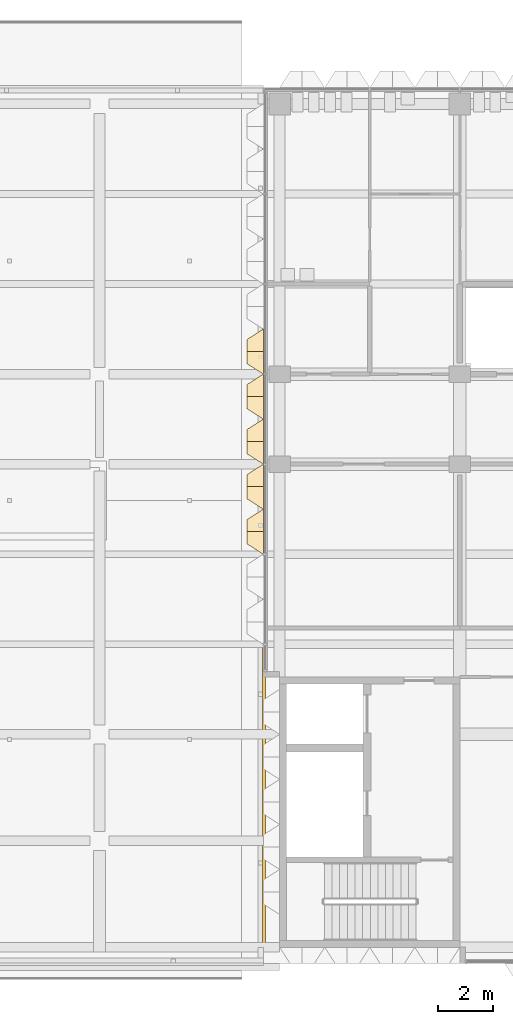
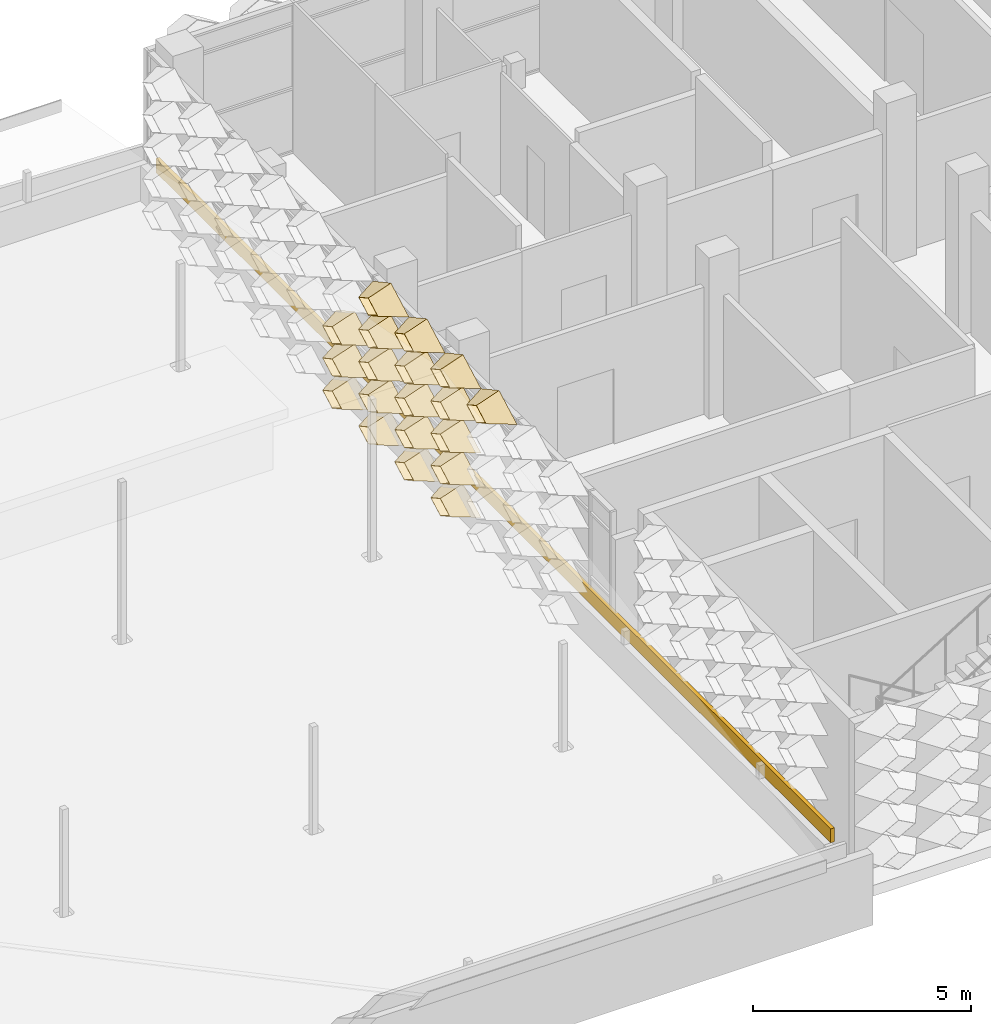
# One storey, part 25 of 39: 20 coverings.
"""IFC4 building model written with IfcOpenShell, lengths in metres."""

from ifc_helpers import new_model, entity, si_unit, direction, frame, origin, place, context, subcontext, project, spatial, polyline, outline, extrude, material, layer, layer_set, type_object, element, save


model = new_model("IFC4")

# Units and contexts
model_context = context("Model", 3, precision=1e-05, world=origin(), true_north=direction((0.0, 1.0)))
body_context = subcontext(model_context, "Body", "Model", "MODEL_VIEW")
ifc_project = project(units=[si_unit("LENGTHUNIT", "METRE"), si_unit("AREAUNIT", "SQUARE_METRE"), si_unit("VOLUMEUNIT", "CUBIC_METRE"), si_unit("PLANEANGLEUNIT", "RADIAN"), si_unit("MASSUNIT", "GRAM", prefix="KILO")], contexts=[model_context])

# Site, building, storey
site_placement = place(None, origin())
site = spatial("IfcSite", under=ifc_project, at=site_placement, CompositionType="ELEMENT")
building_placement = place(site_placement, origin())
building = spatial("IfcBuilding", under=site, at=building_placement, Name="Lantern Court Research Institute", CompositionType="ELEMENT")
storey_placement = place(building_placement, frame((0.0, 0.0, 27.89990234375)))
storey = spatial("IfcBuildingStorey", under=building, at=storey_placement, Name="L06", CompositionType="ELEMENT", Elevation=27.89990234375)

# Coverings
ifc_material_1 = material(Name="Anodised aluminium", Category="aluminium")
ifc_layer_1 = layer(ifc_material_1, 0.01611328125)
ifc_layer_set_1 = layer_set([ifc_layer_1], Name="Anodised aluminium")
covering_type_1 = type_object("IfcCoveringType", Name="Fin cassette 1650 x 900 x 600 aluminium", PredefinedType="CLADDING", material=ifc_layer_set_1)
covering_1_placement = place(storey_placement, frame((52.199951171875, 9.074951171875, 0.4501953125), z_axis=(-1.0, 0.0, 0.0), x_axis=(0.0, -1.0, 0.0)))
cartesian_point_1 = entity("IfcCartesianPoint", [0.824951171875, 0.0])
cartesian_point_2 = entity("IfcCartesianPoint", [0.79150390625, 0.0])
cartesian_point_3 = entity("IfcCartesianPoint", [0.44189453125, 0.0])
cartesian_point_4 = entity("IfcCartesianPoint", [0.43359375, 0.0])
element("IfcCovering", 1, at=covering_1_placement, inside=storey, type_object=covering_type_1, Name="Fin cassette V5W-L06 1.6", PredefinedType="CLADDING", context=body_context, shape_type="SweptSolid", body=[
    entity("IfcExtrudedAreaSolidTapered", entity("IfcArbitraryProfileDefWithVoids", "AREA", None, entity("IfcPolyline", [cartesian_point_1, entity("IfcCartesianPoint", [0.0, 0.449951171875]), entity("IfcCartesianPoint", [-0.824951171875, 0.0]), entity("IfcCartesianPoint", [0.0, -0.449951171875]), cartesian_point_1]), [entity("IfcPolyline", [cartesian_point_2, entity("IfcCartesianPoint", [0.0, 0.431884765625]), entity("IfcCartesianPoint", [-0.79150390625, 0.0]), entity("IfcCartesianPoint", [0.0, -0.431884765625]), cartesian_point_2])]), entity("IfcAxis2Placement3D", entity("IfcCartesianPoint", [0.0, 0.0, 0.0])), entity("IfcDirection", [0.0, 0.0, 1.0]), 0.60009765625, entity("IfcArbitraryProfileDefWithVoids", "AREA", None, entity("IfcPolyline", [cartesian_point_3, entity("IfcCartesianPoint", [0.0, 0.240966796875]), entity("IfcCartesianPoint", [-0.44189453125, 0.0]), entity("IfcCartesianPoint", [0.0, -0.240966796875]), cartesian_point_3]), [entity("IfcPolyline", [cartesian_point_4, entity("IfcCartesianPoint", [0.0, 0.236572265625]), entity("IfcCartesianPoint", [-0.43359375, 0.0]), entity("IfcCartesianPoint", [0.0, -0.236572265625]), cartesian_point_4])])),
])
covering_2_placement = place(storey_placement, frame((52.199951171875, 10.72509765625, 0.4501953125), z_axis=(-1.0, 0.0, 0.0), x_axis=(0.0, -1.0, 0.0)))
cartesian_point_5 = entity("IfcCartesianPoint", [0.824951171875, 0.0])
cartesian_point_6 = entity("IfcCartesianPoint", [0.79150390625, 0.0])
cartesian_point_7 = entity("IfcCartesianPoint", [0.44189453125, 0.0])
cartesian_point_8 = entity("IfcCartesianPoint", [0.43359375, 0.0])
element("IfcCovering", 2, at=covering_2_placement, inside=storey, type_object=covering_type_1, Name="Fin cassette V5W-L06 1.7", PredefinedType="CLADDING", context=body_context, shape_type="SweptSolid", body=[
    entity("IfcExtrudedAreaSolidTapered", entity("IfcArbitraryProfileDefWithVoids", "AREA", None, entity("IfcPolyline", [cartesian_point_5, entity("IfcCartesianPoint", [0.0, 0.449951171875]), entity("IfcCartesianPoint", [-0.824951171875, 0.0]), entity("IfcCartesianPoint", [0.0, -0.449951171875]), cartesian_point_5]), [entity("IfcPolyline", [cartesian_point_6, entity("IfcCartesianPoint", [0.0, 0.431884765625]), entity("IfcCartesianPoint", [-0.79150390625, 0.0]), entity("IfcCartesianPoint", [0.0, -0.431884765625]), cartesian_point_6])]), entity("IfcAxis2Placement3D", entity("IfcCartesianPoint", [0.0, 0.0, 0.0])), entity("IfcDirection", [0.0, 0.0, 1.0]), 0.60009765625, entity("IfcArbitraryProfileDefWithVoids", "AREA", None, entity("IfcPolyline", [cartesian_point_7, entity("IfcCartesianPoint", [0.0, 0.240966796875]), entity("IfcCartesianPoint", [-0.44189453125, 0.0]), entity("IfcCartesianPoint", [0.0, -0.240966796875]), cartesian_point_7]), [entity("IfcPolyline", [cartesian_point_8, entity("IfcCartesianPoint", [0.0, 0.236572265625]), entity("IfcCartesianPoint", [-0.43359375, 0.0]), entity("IfcCartesianPoint", [0.0, -0.236572265625]), cartesian_point_8])])),
])
covering_3_placement = place(storey_placement, frame((52.199951171875, 12.375, 0.4501953125), z_axis=(-1.0, 0.0, 0.0), x_axis=(0.0, -1.0, 0.0)))
cartesian_point_9 = entity("IfcCartesianPoint", [0.824951171875, 0.0])
cartesian_point_10 = entity("IfcCartesianPoint", [0.79150390625, 0.0])
cartesian_point_11 = entity("IfcCartesianPoint", [0.44189453125, 0.0])
cartesian_point_12 = entity("IfcCartesianPoint", [0.43359375, 0.0])
element("IfcCovering", 3, at=covering_3_placement, inside=storey, type_object=covering_type_1, Name="Fin cassette V5W-L06 1.8", PredefinedType="CLADDING", context=body_context, shape_type="SweptSolid", body=[
    entity("IfcExtrudedAreaSolidTapered", entity("IfcArbitraryProfileDefWithVoids", "AREA", None, entity("IfcPolyline", [cartesian_point_9, entity("IfcCartesianPoint", [0.0, 0.449951171875]), entity("IfcCartesianPoint", [-0.824951171875, 0.0]), entity("IfcCartesianPoint", [0.0, -0.449951171875]), cartesian_point_9]), [entity("IfcPolyline", [cartesian_point_10, entity("IfcCartesianPoint", [0.0, 0.431884765625]), entity("IfcCartesianPoint", [-0.79150390625, 0.0]), entity("IfcCartesianPoint", [0.0, -0.431884765625]), cartesian_point_10])]), entity("IfcAxis2Placement3D", entity("IfcCartesianPoint", [0.0, 0.0, 0.0])), entity("IfcDirection", [0.0, 0.0, 1.0]), 0.60009765625, entity("IfcArbitraryProfileDefWithVoids", "AREA", None, entity("IfcPolyline", [cartesian_point_11, entity("IfcCartesianPoint", [0.0, 0.240966796875]), entity("IfcCartesianPoint", [-0.44189453125, 0.0]), entity("IfcCartesianPoint", [0.0, -0.240966796875]), cartesian_point_11]), [entity("IfcPolyline", [cartesian_point_12, entity("IfcCartesianPoint", [0.0, 0.236572265625]), entity("IfcCartesianPoint", [-0.43359375, 0.0]), entity("IfcCartesianPoint", [0.0, -0.236572265625]), cartesian_point_12])])),
])
covering_4_placement = place(storey_placement, frame((52.199951171875, 14.02490234375, 0.4501953125), z_axis=(-1.0, 0.0, 0.0), x_axis=(0.0, -1.0, 0.0)))
cartesian_point_13 = entity("IfcCartesianPoint", [0.824951171875, 0.0])
cartesian_point_14 = entity("IfcCartesianPoint", [0.79150390625, 0.0])
cartesian_point_15 = entity("IfcCartesianPoint", [0.44189453125, 0.0])
cartesian_point_16 = entity("IfcCartesianPoint", [0.43359375, 0.0])
element("IfcCovering", 4, at=covering_4_placement, inside=storey, type_object=covering_type_1, Name="Fin cassette V5W-L06 1.9", PredefinedType="CLADDING", context=body_context, shape_type="SweptSolid", body=[
    entity("IfcExtrudedAreaSolidTapered", entity("IfcArbitraryProfileDefWithVoids", "AREA", None, entity("IfcPolyline", [cartesian_point_13, entity("IfcCartesianPoint", [0.0, 0.449951171875]), entity("IfcCartesianPoint", [-0.824951171875, 0.0]), entity("IfcCartesianPoint", [0.0, -0.449951171875]), cartesian_point_13]), [entity("IfcPolyline", [cartesian_point_14, entity("IfcCartesianPoint", [0.0, 0.431884765625]), entity("IfcCartesianPoint", [-0.79150390625, 0.0]), entity("IfcCartesianPoint", [0.0, -0.431884765625]), cartesian_point_14])]), entity("IfcAxis2Placement3D", entity("IfcCartesianPoint", [0.0, 0.0, 0.0])), entity("IfcDirection", [0.0, 0.0, 1.0]), 0.60009765625, entity("IfcArbitraryProfileDefWithVoids", "AREA", None, entity("IfcPolyline", [cartesian_point_15, entity("IfcCartesianPoint", [0.0, 0.240966796875]), entity("IfcCartesianPoint", [-0.44189453125, 0.0]), entity("IfcCartesianPoint", [0.0, -0.240966796875]), cartesian_point_15]), [entity("IfcPolyline", [cartesian_point_16, entity("IfcCartesianPoint", [0.0, 0.236572265625]), entity("IfcCartesianPoint", [-0.43359375, 0.0]), entity("IfcCartesianPoint", [0.0, -0.236572265625]), cartesian_point_16])])),
])
covering_5_placement = place(storey_placement, frame((52.199951171875, 9.074951171875, 1.35009765625), z_axis=(-1.0, 0.0, 0.0), x_axis=(0.0, -1.0, 0.0)))
cartesian_point_17 = entity("IfcCartesianPoint", [0.824951171875, 0.0])
cartesian_point_18 = entity("IfcCartesianPoint", [0.79150390625, 0.0])
cartesian_point_19 = entity("IfcCartesianPoint", [0.44189453125, 0.0])
cartesian_point_20 = entity("IfcCartesianPoint", [0.43359375, 0.0])
element("IfcCovering", 5, at=covering_5_placement, inside=storey, type_object=covering_type_1, Name="Fin cassette V5W-L06 2.6", PredefinedType="CLADDING", context=body_context, shape_type="SweptSolid", body=[
    entity("IfcExtrudedAreaSolidTapered", entity("IfcArbitraryProfileDefWithVoids", "AREA", None, entity("IfcPolyline", [cartesian_point_17, entity("IfcCartesianPoint", [0.0, 0.449951171875]), entity("IfcCartesianPoint", [-0.824951171875, 0.0]), entity("IfcCartesianPoint", [0.0, -0.449951171875]), cartesian_point_17]), [entity("IfcPolyline", [cartesian_point_18, entity("IfcCartesianPoint", [0.0, 0.431884765625]), entity("IfcCartesianPoint", [-0.79150390625, 0.0]), entity("IfcCartesianPoint", [0.0, -0.431884765625]), cartesian_point_18])]), entity("IfcAxis2Placement3D", entity("IfcCartesianPoint", [0.0, 0.0, 0.0])), entity("IfcDirection", [0.0, 0.0, 1.0]), 0.60009765625, entity("IfcArbitraryProfileDefWithVoids", "AREA", None, entity("IfcPolyline", [cartesian_point_19, entity("IfcCartesianPoint", [0.0, 0.240966796875]), entity("IfcCartesianPoint", [-0.44189453125, 0.0]), entity("IfcCartesianPoint", [0.0, -0.240966796875]), cartesian_point_19]), [entity("IfcPolyline", [cartesian_point_20, entity("IfcCartesianPoint", [0.0, 0.236572265625]), entity("IfcCartesianPoint", [-0.43359375, 0.0]), entity("IfcCartesianPoint", [0.0, -0.236572265625]), cartesian_point_20])])),
])
covering_6_placement = place(storey_placement, frame((52.199951171875, 10.72509765625, 1.35009765625), z_axis=(-1.0, 0.0, 0.0), x_axis=(0.0, -1.0, 0.0)))
cartesian_point_21 = entity("IfcCartesianPoint", [0.824951171875, 0.0])
cartesian_point_22 = entity("IfcCartesianPoint", [0.79150390625, 0.0])
cartesian_point_23 = entity("IfcCartesianPoint", [0.44189453125, 0.0])
cartesian_point_24 = entity("IfcCartesianPoint", [0.43359375, 0.0])
element("IfcCovering", 6, at=covering_6_placement, inside=storey, type_object=covering_type_1, Name="Fin cassette V5W-L06 2.7", PredefinedType="CLADDING", context=body_context, shape_type="SweptSolid", body=[
    entity("IfcExtrudedAreaSolidTapered", entity("IfcArbitraryProfileDefWithVoids", "AREA", None, entity("IfcPolyline", [cartesian_point_21, entity("IfcCartesianPoint", [0.0, 0.449951171875]), entity("IfcCartesianPoint", [-0.824951171875, 0.0]), entity("IfcCartesianPoint", [0.0, -0.449951171875]), cartesian_point_21]), [entity("IfcPolyline", [cartesian_point_22, entity("IfcCartesianPoint", [0.0, 0.431884765625]), entity("IfcCartesianPoint", [-0.79150390625, 0.0]), entity("IfcCartesianPoint", [0.0, -0.431884765625]), cartesian_point_22])]), entity("IfcAxis2Placement3D", entity("IfcCartesianPoint", [0.0, 0.0, 0.0])), entity("IfcDirection", [0.0, 0.0, 1.0]), 0.60009765625, entity("IfcArbitraryProfileDefWithVoids", "AREA", None, entity("IfcPolyline", [cartesian_point_23, entity("IfcCartesianPoint", [0.0, 0.240966796875]), entity("IfcCartesianPoint", [-0.44189453125, 0.0]), entity("IfcCartesianPoint", [0.0, -0.240966796875]), cartesian_point_23]), [entity("IfcPolyline", [cartesian_point_24, entity("IfcCartesianPoint", [0.0, 0.236572265625]), entity("IfcCartesianPoint", [-0.43359375, 0.0]), entity("IfcCartesianPoint", [0.0, -0.236572265625]), cartesian_point_24])])),
])
covering_7_placement = place(storey_placement, frame((52.199951171875, 12.375, 1.35009765625), z_axis=(-1.0, 0.0, 0.0), x_axis=(0.0, -1.0, 0.0)))
cartesian_point_25 = entity("IfcCartesianPoint", [0.824951171875, 0.0])
cartesian_point_26 = entity("IfcCartesianPoint", [0.79150390625, 0.0])
cartesian_point_27 = entity("IfcCartesianPoint", [0.44189453125, 0.0])
cartesian_point_28 = entity("IfcCartesianPoint", [0.43359375, 0.0])
element("IfcCovering", 7, at=covering_7_placement, inside=storey, type_object=covering_type_1, Name="Fin cassette V5W-L06 2.8", PredefinedType="CLADDING", context=body_context, shape_type="SweptSolid", body=[
    entity("IfcExtrudedAreaSolidTapered", entity("IfcArbitraryProfileDefWithVoids", "AREA", None, entity("IfcPolyline", [cartesian_point_25, entity("IfcCartesianPoint", [0.0, 0.449951171875]), entity("IfcCartesianPoint", [-0.824951171875, 0.0]), entity("IfcCartesianPoint", [0.0, -0.449951171875]), cartesian_point_25]), [entity("IfcPolyline", [cartesian_point_26, entity("IfcCartesianPoint", [0.0, 0.431884765625]), entity("IfcCartesianPoint", [-0.79150390625, 0.0]), entity("IfcCartesianPoint", [0.0, -0.431884765625]), cartesian_point_26])]), entity("IfcAxis2Placement3D", entity("IfcCartesianPoint", [0.0, 0.0, 0.0])), entity("IfcDirection", [0.0, 0.0, 1.0]), 0.60009765625, entity("IfcArbitraryProfileDefWithVoids", "AREA", None, entity("IfcPolyline", [cartesian_point_27, entity("IfcCartesianPoint", [0.0, 0.240966796875]), entity("IfcCartesianPoint", [-0.44189453125, 0.0]), entity("IfcCartesianPoint", [0.0, -0.240966796875]), cartesian_point_27]), [entity("IfcPolyline", [cartesian_point_28, entity("IfcCartesianPoint", [0.0, 0.236572265625]), entity("IfcCartesianPoint", [-0.43359375, 0.0]), entity("IfcCartesianPoint", [0.0, -0.236572265625]), cartesian_point_28])])),
])
covering_8_placement = place(storey_placement, frame((52.199951171875, 14.02490234375, 1.35009765625), z_axis=(-1.0, 0.0, 0.0), x_axis=(0.0, -1.0, 0.0)))
cartesian_point_29 = entity("IfcCartesianPoint", [0.824951171875, 0.0])
cartesian_point_30 = entity("IfcCartesianPoint", [0.79150390625, 0.0])
cartesian_point_31 = entity("IfcCartesianPoint", [0.44189453125, 0.0])
cartesian_point_32 = entity("IfcCartesianPoint", [0.43359375, 0.0])
element("IfcCovering", 8, at=covering_8_placement, inside=storey, type_object=covering_type_1, Name="Fin cassette V5W-L06 2.9", PredefinedType="CLADDING", context=body_context, shape_type="SweptSolid", body=[
    entity("IfcExtrudedAreaSolidTapered", entity("IfcArbitraryProfileDefWithVoids", "AREA", None, entity("IfcPolyline", [cartesian_point_29, entity("IfcCartesianPoint", [0.0, 0.449951171875]), entity("IfcCartesianPoint", [-0.824951171875, 0.0]), entity("IfcCartesianPoint", [0.0, -0.449951171875]), cartesian_point_29]), [entity("IfcPolyline", [cartesian_point_30, entity("IfcCartesianPoint", [0.0, 0.431884765625]), entity("IfcCartesianPoint", [-0.79150390625, 0.0]), entity("IfcCartesianPoint", [0.0, -0.431884765625]), cartesian_point_30])]), entity("IfcAxis2Placement3D", entity("IfcCartesianPoint", [0.0, 0.0, 0.0])), entity("IfcDirection", [0.0, 0.0, 1.0]), 0.60009765625, entity("IfcArbitraryProfileDefWithVoids", "AREA", None, entity("IfcPolyline", [cartesian_point_31, entity("IfcCartesianPoint", [0.0, 0.240966796875]), entity("IfcCartesianPoint", [-0.44189453125, 0.0]), entity("IfcCartesianPoint", [0.0, -0.240966796875]), cartesian_point_31]), [entity("IfcPolyline", [cartesian_point_32, entity("IfcCartesianPoint", [0.0, 0.236572265625]), entity("IfcCartesianPoint", [-0.43359375, 0.0]), entity("IfcCartesianPoint", [0.0, -0.236572265625]), cartesian_point_32])])),
])
covering_9_placement = place(storey_placement, frame((52.199951171875, 9.074951171875, 2.25), z_axis=(-1.0, 0.0, 0.0), x_axis=(0.0, -1.0, 0.0)))
cartesian_point_33 = entity("IfcCartesianPoint", [0.824951171875, 0.0])
cartesian_point_34 = entity("IfcCartesianPoint", [0.79150390625, 0.0])
cartesian_point_35 = entity("IfcCartesianPoint", [0.44189453125, 0.0])
cartesian_point_36 = entity("IfcCartesianPoint", [0.43359375, 0.0])
element("IfcCovering", 9, at=covering_9_placement, inside=storey, type_object=covering_type_1, Name="Fin cassette V5W-L06 3.6", PredefinedType="CLADDING", context=body_context, shape_type="SweptSolid", body=[
    entity("IfcExtrudedAreaSolidTapered", entity("IfcArbitraryProfileDefWithVoids", "AREA", None, entity("IfcPolyline", [cartesian_point_33, entity("IfcCartesianPoint", [0.0, 0.449951171875]), entity("IfcCartesianPoint", [-0.824951171875, 0.0]), entity("IfcCartesianPoint", [0.0, -0.449951171875]), cartesian_point_33]), [entity("IfcPolyline", [cartesian_point_34, entity("IfcCartesianPoint", [0.0, 0.431884765625]), entity("IfcCartesianPoint", [-0.79150390625, 0.0]), entity("IfcCartesianPoint", [0.0, -0.431884765625]), cartesian_point_34])]), entity("IfcAxis2Placement3D", entity("IfcCartesianPoint", [0.0, 0.0, 0.0])), entity("IfcDirection", [0.0, 0.0, 1.0]), 0.60009765625, entity("IfcArbitraryProfileDefWithVoids", "AREA", None, entity("IfcPolyline", [cartesian_point_35, entity("IfcCartesianPoint", [0.0, 0.240966796875]), entity("IfcCartesianPoint", [-0.44189453125, 0.0]), entity("IfcCartesianPoint", [0.0, -0.240966796875]), cartesian_point_35]), [entity("IfcPolyline", [cartesian_point_36, entity("IfcCartesianPoint", [0.0, 0.236572265625]), entity("IfcCartesianPoint", [-0.43359375, 0.0]), entity("IfcCartesianPoint", [0.0, -0.236572265625]), cartesian_point_36])])),
])
covering_10_placement = place(storey_placement, frame((52.199951171875, 10.72509765625, 2.25), z_axis=(-1.0, 0.0, 0.0), x_axis=(0.0, -1.0, 0.0)))
cartesian_point_37 = entity("IfcCartesianPoint", [0.824951171875, 0.0])
cartesian_point_38 = entity("IfcCartesianPoint", [0.79150390625, 0.0])
cartesian_point_39 = entity("IfcCartesianPoint", [0.44189453125, 0.0])
cartesian_point_40 = entity("IfcCartesianPoint", [0.43359375, 0.0])
element("IfcCovering", 10, at=covering_10_placement, inside=storey, type_object=covering_type_1, Name="Fin cassette V5W-L06 3.7", PredefinedType="CLADDING", context=body_context, shape_type="SweptSolid", body=[
    entity("IfcExtrudedAreaSolidTapered", entity("IfcArbitraryProfileDefWithVoids", "AREA", None, entity("IfcPolyline", [cartesian_point_37, entity("IfcCartesianPoint", [0.0, 0.449951171875]), entity("IfcCartesianPoint", [-0.824951171875, 0.0]), entity("IfcCartesianPoint", [0.0, -0.449951171875]), cartesian_point_37]), [entity("IfcPolyline", [cartesian_point_38, entity("IfcCartesianPoint", [0.0, 0.431884765625]), entity("IfcCartesianPoint", [-0.79150390625, 0.0]), entity("IfcCartesianPoint", [0.0, -0.431884765625]), cartesian_point_38])]), entity("IfcAxis2Placement3D", entity("IfcCartesianPoint", [0.0, 0.0, 0.0])), entity("IfcDirection", [0.0, 0.0, 1.0]), 0.60009765625, entity("IfcArbitraryProfileDefWithVoids", "AREA", None, entity("IfcPolyline", [cartesian_point_39, entity("IfcCartesianPoint", [0.0, 0.240966796875]), entity("IfcCartesianPoint", [-0.44189453125, 0.0]), entity("IfcCartesianPoint", [0.0, -0.240966796875]), cartesian_point_39]), [entity("IfcPolyline", [cartesian_point_40, entity("IfcCartesianPoint", [0.0, 0.236572265625]), entity("IfcCartesianPoint", [-0.43359375, 0.0]), entity("IfcCartesianPoint", [0.0, -0.236572265625]), cartesian_point_40])])),
])
covering_11_placement = place(storey_placement, frame((52.199951171875, 12.375, 2.25), z_axis=(-1.0, 0.0, 0.0), x_axis=(0.0, -1.0, 0.0)))
cartesian_point_41 = entity("IfcCartesianPoint", [0.824951171875, 0.0])
cartesian_point_42 = entity("IfcCartesianPoint", [0.79150390625, 0.0])
cartesian_point_43 = entity("IfcCartesianPoint", [0.44189453125, 0.0])
cartesian_point_44 = entity("IfcCartesianPoint", [0.43359375, 0.0])
element("IfcCovering", 11, at=covering_11_placement, inside=storey, type_object=covering_type_1, Name="Fin cassette V5W-L06 3.8", PredefinedType="CLADDING", context=body_context, shape_type="SweptSolid", body=[
    entity("IfcExtrudedAreaSolidTapered", entity("IfcArbitraryProfileDefWithVoids", "AREA", None, entity("IfcPolyline", [cartesian_point_41, entity("IfcCartesianPoint", [0.0, 0.449951171875]), entity("IfcCartesianPoint", [-0.824951171875, 0.0]), entity("IfcCartesianPoint", [0.0, -0.449951171875]), cartesian_point_41]), [entity("IfcPolyline", [cartesian_point_42, entity("IfcCartesianPoint", [0.0, 0.431884765625]), entity("IfcCartesianPoint", [-0.79150390625, 0.0]), entity("IfcCartesianPoint", [0.0, -0.431884765625]), cartesian_point_42])]), entity("IfcAxis2Placement3D", entity("IfcCartesianPoint", [0.0, 0.0, 0.0])), entity("IfcDirection", [0.0, 0.0, 1.0]), 0.60009765625, entity("IfcArbitraryProfileDefWithVoids", "AREA", None, entity("IfcPolyline", [cartesian_point_43, entity("IfcCartesianPoint", [0.0, 0.240966796875]), entity("IfcCartesianPoint", [-0.44189453125, 0.0]), entity("IfcCartesianPoint", [0.0, -0.240966796875]), cartesian_point_43]), [entity("IfcPolyline", [cartesian_point_44, entity("IfcCartesianPoint", [0.0, 0.236572265625]), entity("IfcCartesianPoint", [-0.43359375, 0.0]), entity("IfcCartesianPoint", [0.0, -0.236572265625]), cartesian_point_44])])),
])
covering_12_placement = place(storey_placement, frame((52.199951171875, 14.02490234375, 2.25), z_axis=(-1.0, 0.0, 0.0), x_axis=(0.0, -1.0, 0.0)))
cartesian_point_45 = entity("IfcCartesianPoint", [0.824951171875, 0.0])
cartesian_point_46 = entity("IfcCartesianPoint", [0.79150390625, 0.0])
cartesian_point_47 = entity("IfcCartesianPoint", [0.44189453125, 0.0])
cartesian_point_48 = entity("IfcCartesianPoint", [0.43359375, 0.0])
element("IfcCovering", 12, at=covering_12_placement, inside=storey, type_object=covering_type_1, Name="Fin cassette V5W-L06 3.9", PredefinedType="CLADDING", context=body_context, shape_type="SweptSolid", body=[
    entity("IfcExtrudedAreaSolidTapered", entity("IfcArbitraryProfileDefWithVoids", "AREA", None, entity("IfcPolyline", [cartesian_point_45, entity("IfcCartesianPoint", [0.0, 0.449951171875]), entity("IfcCartesianPoint", [-0.824951171875, 0.0]), entity("IfcCartesianPoint", [0.0, -0.449951171875]), cartesian_point_45]), [entity("IfcPolyline", [cartesian_point_46, entity("IfcCartesianPoint", [0.0, 0.431884765625]), entity("IfcCartesianPoint", [-0.79150390625, 0.0]), entity("IfcCartesianPoint", [0.0, -0.431884765625]), cartesian_point_46])]), entity("IfcAxis2Placement3D", entity("IfcCartesianPoint", [0.0, 0.0, 0.0])), entity("IfcDirection", [0.0, 0.0, 1.0]), 0.60009765625, entity("IfcArbitraryProfileDefWithVoids", "AREA", None, entity("IfcPolyline", [cartesian_point_47, entity("IfcCartesianPoint", [0.0, 0.240966796875]), entity("IfcCartesianPoint", [-0.44189453125, 0.0]), entity("IfcCartesianPoint", [0.0, -0.240966796875]), cartesian_point_47]), [entity("IfcPolyline", [cartesian_point_48, entity("IfcCartesianPoint", [0.0, 0.236572265625]), entity("IfcCartesianPoint", [-0.43359375, 0.0]), entity("IfcCartesianPoint", [0.0, -0.236572265625]), cartesian_point_48])])),
])
covering_13_placement = place(storey_placement, frame((52.199951171875, 9.074951171875, 3.150146484375), z_axis=(-1.0, 0.0, 0.0), x_axis=(0.0, -1.0, 0.0)))
cartesian_point_49 = entity("IfcCartesianPoint", [0.824951171875, 0.0])
cartesian_point_50 = entity("IfcCartesianPoint", [0.79150390625, 0.0])
cartesian_point_51 = entity("IfcCartesianPoint", [0.44189453125, 0.0])
cartesian_point_52 = entity("IfcCartesianPoint", [0.43359375, 0.0])
element("IfcCovering", 13, at=covering_13_placement, inside=storey, type_object=covering_type_1, Name="Fin cassette V5W-L06 4.6", PredefinedType="CLADDING", context=body_context, shape_type="SweptSolid", body=[
    entity("IfcExtrudedAreaSolidTapered", entity("IfcArbitraryProfileDefWithVoids", "AREA", None, entity("IfcPolyline", [cartesian_point_49, entity("IfcCartesianPoint", [0.0, 0.449951171875]), entity("IfcCartesianPoint", [-0.824951171875, 0.0]), entity("IfcCartesianPoint", [0.0, -0.449951171875]), cartesian_point_49]), [entity("IfcPolyline", [cartesian_point_50, entity("IfcCartesianPoint", [0.0, 0.431884765625]), entity("IfcCartesianPoint", [-0.79150390625, 0.0]), entity("IfcCartesianPoint", [0.0, -0.431884765625]), cartesian_point_50])]), entity("IfcAxis2Placement3D", entity("IfcCartesianPoint", [0.0, 0.0, 0.0])), entity("IfcDirection", [0.0, 0.0, 1.0]), 0.60009765625, entity("IfcArbitraryProfileDefWithVoids", "AREA", None, entity("IfcPolyline", [cartesian_point_51, entity("IfcCartesianPoint", [0.0, 0.240966796875]), entity("IfcCartesianPoint", [-0.44189453125, 0.0]), entity("IfcCartesianPoint", [0.0, -0.240966796875]), cartesian_point_51]), [entity("IfcPolyline", [cartesian_point_52, entity("IfcCartesianPoint", [0.0, 0.236572265625]), entity("IfcCartesianPoint", [-0.43359375, 0.0]), entity("IfcCartesianPoint", [0.0, -0.236572265625]), cartesian_point_52])])),
])
covering_14_placement = place(storey_placement, frame((52.199951171875, 10.72509765625, 3.150146484375), z_axis=(-1.0, 0.0, 0.0), x_axis=(0.0, -1.0, 0.0)))
cartesian_point_53 = entity("IfcCartesianPoint", [0.824951171875, 0.0])
cartesian_point_54 = entity("IfcCartesianPoint", [0.79150390625, 0.0])
cartesian_point_55 = entity("IfcCartesianPoint", [0.44189453125, 0.0])
cartesian_point_56 = entity("IfcCartesianPoint", [0.43359375, 0.0])
element("IfcCovering", 14, at=covering_14_placement, inside=storey, type_object=covering_type_1, Name="Fin cassette V5W-L06 4.7", PredefinedType="CLADDING", context=body_context, shape_type="SweptSolid", body=[
    entity("IfcExtrudedAreaSolidTapered", entity("IfcArbitraryProfileDefWithVoids", "AREA", None, entity("IfcPolyline", [cartesian_point_53, entity("IfcCartesianPoint", [0.0, 0.449951171875]), entity("IfcCartesianPoint", [-0.824951171875, 0.0]), entity("IfcCartesianPoint", [0.0, -0.449951171875]), cartesian_point_53]), [entity("IfcPolyline", [cartesian_point_54, entity("IfcCartesianPoint", [0.0, 0.431884765625]), entity("IfcCartesianPoint", [-0.79150390625, 0.0]), entity("IfcCartesianPoint", [0.0, -0.431884765625]), cartesian_point_54])]), entity("IfcAxis2Placement3D", entity("IfcCartesianPoint", [0.0, 0.0, 0.0])), entity("IfcDirection", [0.0, 0.0, 1.0]), 0.60009765625, entity("IfcArbitraryProfileDefWithVoids", "AREA", None, entity("IfcPolyline", [cartesian_point_55, entity("IfcCartesianPoint", [0.0, 0.240966796875]), entity("IfcCartesianPoint", [-0.44189453125, 0.0]), entity("IfcCartesianPoint", [0.0, -0.240966796875]), cartesian_point_55]), [entity("IfcPolyline", [cartesian_point_56, entity("IfcCartesianPoint", [0.0, 0.236572265625]), entity("IfcCartesianPoint", [-0.43359375, 0.0]), entity("IfcCartesianPoint", [0.0, -0.236572265625]), cartesian_point_56])])),
])
covering_15_placement = place(storey_placement, frame((52.199951171875, 12.375, 3.150146484375), z_axis=(-1.0, 0.0, 0.0), x_axis=(0.0, -1.0, 0.0)))
cartesian_point_57 = entity("IfcCartesianPoint", [0.824951171875, 0.0])
cartesian_point_58 = entity("IfcCartesianPoint", [0.79150390625, 0.0])
cartesian_point_59 = entity("IfcCartesianPoint", [0.44189453125, 0.0])
cartesian_point_60 = entity("IfcCartesianPoint", [0.43359375, 0.0])
element("IfcCovering", 15, at=covering_15_placement, inside=storey, type_object=covering_type_1, Name="Fin cassette V5W-L06 4.8", PredefinedType="CLADDING", context=body_context, shape_type="SweptSolid", body=[
    entity("IfcExtrudedAreaSolidTapered", entity("IfcArbitraryProfileDefWithVoids", "AREA", None, entity("IfcPolyline", [cartesian_point_57, entity("IfcCartesianPoint", [0.0, 0.449951171875]), entity("IfcCartesianPoint", [-0.824951171875, 0.0]), entity("IfcCartesianPoint", [0.0, -0.449951171875]), cartesian_point_57]), [entity("IfcPolyline", [cartesian_point_58, entity("IfcCartesianPoint", [0.0, 0.431884765625]), entity("IfcCartesianPoint", [-0.79150390625, 0.0]), entity("IfcCartesianPoint", [0.0, -0.431884765625]), cartesian_point_58])]), entity("IfcAxis2Placement3D", entity("IfcCartesianPoint", [0.0, 0.0, 0.0])), entity("IfcDirection", [0.0, 0.0, 1.0]), 0.60009765625, entity("IfcArbitraryProfileDefWithVoids", "AREA", None, entity("IfcPolyline", [cartesian_point_59, entity("IfcCartesianPoint", [0.0, 0.240966796875]), entity("IfcCartesianPoint", [-0.44189453125, 0.0]), entity("IfcCartesianPoint", [0.0, -0.240966796875]), cartesian_point_59]), [entity("IfcPolyline", [cartesian_point_60, entity("IfcCartesianPoint", [0.0, 0.236572265625]), entity("IfcCartesianPoint", [-0.43359375, 0.0]), entity("IfcCartesianPoint", [0.0, -0.236572265625]), cartesian_point_60])])),
])
covering_16_placement = place(storey_placement, frame((52.199951171875, 7.425048828125, 4.050048828125), z_axis=(-1.0, 0.0, 0.0), x_axis=(0.0, -1.0, 0.0)))
cartesian_point_61 = entity("IfcCartesianPoint", [0.824951171875, 0.0])
cartesian_point_62 = entity("IfcCartesianPoint", [0.79150390625, 0.0])
cartesian_point_63 = entity("IfcCartesianPoint", [0.44189453125, 0.0])
cartesian_point_64 = entity("IfcCartesianPoint", [0.43359375, 0.0])
element("IfcCovering", 16, at=covering_16_placement, inside=storey, type_object=covering_type_1, Name="Fin cassette V5W-L06 5.5", PredefinedType="CLADDING", context=body_context, shape_type="SweptSolid", body=[
    entity("IfcExtrudedAreaSolidTapered", entity("IfcArbitraryProfileDefWithVoids", "AREA", None, entity("IfcPolyline", [cartesian_point_61, entity("IfcCartesianPoint", [0.0, 0.449951171875]), entity("IfcCartesianPoint", [-0.824951171875, 0.0]), entity("IfcCartesianPoint", [0.0, -0.449951171875]), cartesian_point_61]), [entity("IfcPolyline", [cartesian_point_62, entity("IfcCartesianPoint", [0.0, 0.431884765625]), entity("IfcCartesianPoint", [-0.79150390625, 0.0]), entity("IfcCartesianPoint", [0.0, -0.431884765625]), cartesian_point_62])]), entity("IfcAxis2Placement3D", entity("IfcCartesianPoint", [0.0, 0.0, 0.0])), entity("IfcDirection", [0.0, 0.0, 1.0]), 0.60009765625, entity("IfcArbitraryProfileDefWithVoids", "AREA", None, entity("IfcPolyline", [cartesian_point_63, entity("IfcCartesianPoint", [0.0, 0.240966796875]), entity("IfcCartesianPoint", [-0.44189453125, 0.0]), entity("IfcCartesianPoint", [0.0, -0.240966796875]), cartesian_point_63]), [entity("IfcPolyline", [cartesian_point_64, entity("IfcCartesianPoint", [0.0, 0.236572265625]), entity("IfcCartesianPoint", [-0.43359375, 0.0]), entity("IfcCartesianPoint", [0.0, -0.236572265625]), cartesian_point_64])])),
])
covering_17_placement = place(storey_placement, frame((52.199951171875, 9.074951171875, 4.050048828125), z_axis=(-1.0, 0.0, 0.0), x_axis=(0.0, -1.0, 0.0)))
cartesian_point_65 = entity("IfcCartesianPoint", [0.824951171875, 0.0])
cartesian_point_66 = entity("IfcCartesianPoint", [0.79150390625, 0.0])
cartesian_point_67 = entity("IfcCartesianPoint", [0.44189453125, 0.0])
cartesian_point_68 = entity("IfcCartesianPoint", [0.43359375, 0.0])
element("IfcCovering", 17, at=covering_17_placement, inside=storey, type_object=covering_type_1, Name="Fin cassette V5W-L06 5.6", PredefinedType="CLADDING", context=body_context, shape_type="SweptSolid", body=[
    entity("IfcExtrudedAreaSolidTapered", entity("IfcArbitraryProfileDefWithVoids", "AREA", None, entity("IfcPolyline", [cartesian_point_65, entity("IfcCartesianPoint", [0.0, 0.449951171875]), entity("IfcCartesianPoint", [-0.824951171875, 0.0]), entity("IfcCartesianPoint", [0.0, -0.449951171875]), cartesian_point_65]), [entity("IfcPolyline", [cartesian_point_66, entity("IfcCartesianPoint", [0.0, 0.431884765625]), entity("IfcCartesianPoint", [-0.79150390625, 0.0]), entity("IfcCartesianPoint", [0.0, -0.431884765625]), cartesian_point_66])]), entity("IfcAxis2Placement3D", entity("IfcCartesianPoint", [0.0, 0.0, 0.0])), entity("IfcDirection", [0.0, 0.0, 1.0]), 0.60009765625, entity("IfcArbitraryProfileDefWithVoids", "AREA", None, entity("IfcPolyline", [cartesian_point_67, entity("IfcCartesianPoint", [0.0, 0.240966796875]), entity("IfcCartesianPoint", [-0.44189453125, 0.0]), entity("IfcCartesianPoint", [0.0, -0.240966796875]), cartesian_point_67]), [entity("IfcPolyline", [cartesian_point_68, entity("IfcCartesianPoint", [0.0, 0.236572265625]), entity("IfcCartesianPoint", [-0.43359375, 0.0]), entity("IfcCartesianPoint", [0.0, -0.236572265625]), cartesian_point_68])])),
])
covering_18_placement = place(storey_placement, frame((52.199951171875, 10.72509765625, 4.050048828125), z_axis=(-1.0, 0.0, 0.0), x_axis=(0.0, -1.0, 0.0)))
cartesian_point_69 = entity("IfcCartesianPoint", [0.824951171875, 0.0])
cartesian_point_70 = entity("IfcCartesianPoint", [0.79150390625, 0.0])
cartesian_point_71 = entity("IfcCartesianPoint", [0.44189453125, 0.0])
cartesian_point_72 = entity("IfcCartesianPoint", [0.43359375, 0.0])
element("IfcCovering", 18, at=covering_18_placement, inside=storey, type_object=covering_type_1, Name="Fin cassette V5W-L06 5.7", PredefinedType="CLADDING", context=body_context, shape_type="SweptSolid", body=[
    entity("IfcExtrudedAreaSolidTapered", entity("IfcArbitraryProfileDefWithVoids", "AREA", None, entity("IfcPolyline", [cartesian_point_69, entity("IfcCartesianPoint", [0.0, 0.449951171875]), entity("IfcCartesianPoint", [-0.824951171875, 0.0]), entity("IfcCartesianPoint", [0.0, -0.449951171875]), cartesian_point_69]), [entity("IfcPolyline", [cartesian_point_70, entity("IfcCartesianPoint", [0.0, 0.431884765625]), entity("IfcCartesianPoint", [-0.79150390625, 0.0]), entity("IfcCartesianPoint", [0.0, -0.431884765625]), cartesian_point_70])]), entity("IfcAxis2Placement3D", entity("IfcCartesianPoint", [0.0, 0.0, 0.0])), entity("IfcDirection", [0.0, 0.0, 1.0]), 0.60009765625, entity("IfcArbitraryProfileDefWithVoids", "AREA", None, entity("IfcPolyline", [cartesian_point_71, entity("IfcCartesianPoint", [0.0, 0.240966796875]), entity("IfcCartesianPoint", [-0.44189453125, 0.0]), entity("IfcCartesianPoint", [0.0, -0.240966796875]), cartesian_point_71]), [entity("IfcPolyline", [cartesian_point_72, entity("IfcCartesianPoint", [0.0, 0.236572265625]), entity("IfcCartesianPoint", [-0.43359375, 0.0]), entity("IfcCartesianPoint", [0.0, -0.236572265625]), cartesian_point_72])])),
])
covering_19_placement = place(storey_placement, frame((52.199951171875, 12.375, 4.050048828125), z_axis=(-1.0, 0.0, 0.0), x_axis=(0.0, -1.0, 0.0)))
cartesian_point_73 = entity("IfcCartesianPoint", [0.824951171875, 0.0])
cartesian_point_74 = entity("IfcCartesianPoint", [0.79150390625, 0.0])
cartesian_point_75 = entity("IfcCartesianPoint", [0.44189453125, 0.0])
cartesian_point_76 = entity("IfcCartesianPoint", [0.43359375, 0.0])
element("IfcCovering", 19, at=covering_19_placement, inside=storey, type_object=covering_type_1, Name="Fin cassette V5W-L06 5.8", PredefinedType="CLADDING", context=body_context, shape_type="SweptSolid", body=[
    entity("IfcExtrudedAreaSolidTapered", entity("IfcArbitraryProfileDefWithVoids", "AREA", None, entity("IfcPolyline", [cartesian_point_73, entity("IfcCartesianPoint", [0.0, 0.449951171875]), entity("IfcCartesianPoint", [-0.824951171875, 0.0]), entity("IfcCartesianPoint", [0.0, -0.449951171875]), cartesian_point_73]), [entity("IfcPolyline", [cartesian_point_74, entity("IfcCartesianPoint", [0.0, 0.431884765625]), entity("IfcCartesianPoint", [-0.79150390625, 0.0]), entity("IfcCartesianPoint", [0.0, -0.431884765625]), cartesian_point_74])]), entity("IfcAxis2Placement3D", entity("IfcCartesianPoint", [0.0, 0.0, 0.0])), entity("IfcDirection", [0.0, 0.0, 1.0]), 0.60009765625, entity("IfcArbitraryProfileDefWithVoids", "AREA", None, entity("IfcPolyline", [cartesian_point_75, entity("IfcCartesianPoint", [0.0, 0.240966796875]), entity("IfcCartesianPoint", [-0.44189453125, 0.0]), entity("IfcCartesianPoint", [0.0, -0.240966796875]), cartesian_point_75]), [entity("IfcPolyline", [cartesian_point_76, entity("IfcCartesianPoint", [0.0, 0.236572265625]), entity("IfcCartesianPoint", [-0.43359375, 0.0]), entity("IfcCartesianPoint", [0.0, -0.236572265625]), cartesian_point_76])])),
])
ifc_material_2 = material(Name="Aluminium composite panel with mineral wool insulation", Category="aluminium")
ifc_layer_2 = layer(ifc_material_2, 0.10009765625)
ifc_layer_set_2 = layer_set([ifc_layer_2], Name="Aluminium composite panel with mineral wool insulation")
covering_type_2 = type_object("IfcCoveringType", Name="Parapet cornice strip 100 aluminium composite", PredefinedType="CLADDING", material=ifc_layer_set_2)
covering_20_placement = place(storey_placement, frame((52.175048828125, -7.800048828125, -27.89990234375), z_axis=(1.0, 0.0, 0.0), x_axis=(0.0, 1.0, 0.0)))
element("IfcCovering", 20, at=covering_20_placement, inside=storey, type_object=covering_type_2, Name="Parapet cornice strip V4 3", PredefinedType="CLADDING", context=body_context, shape_type="SweptSolid", body=[
    extrude(outline(polyline([(0.0, 29.0), (30.89990234375, 29.0), (30.89990234375, 29.388671875), (0.0, 29.388671875), (0.0, 29.0)])), origin(), (0.0, 0.0, 1.0), 0.10009765625),
])

save(model, "model.ifc")
